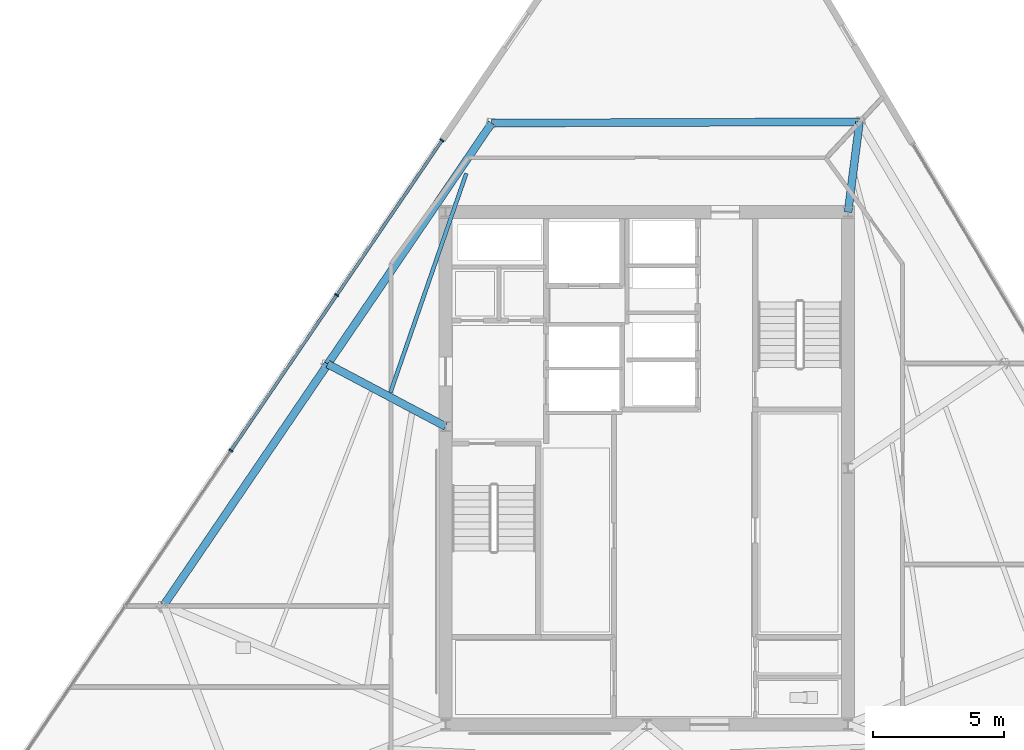
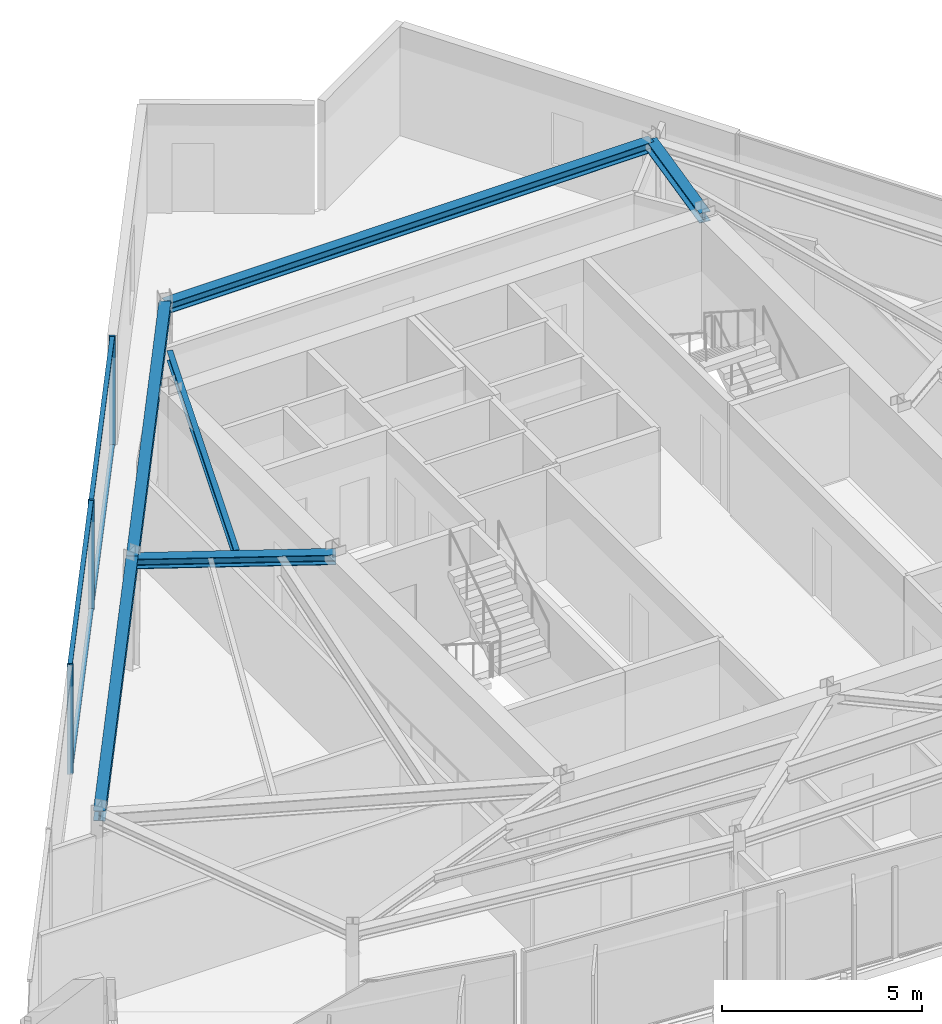
# One storey, part 4 of 13: 7 members, 6 beams, 1 element without a shape of its own.
"""IFC4 building model written with IfcOpenShell, lengths in metres."""

from ifc_helpers import new_model, si_unit, direction, frame, origin, origin_2d, place, context, subcontext, project, spatial, rectangle, i_section, extrude, material, material_profile, profile_set, type_object, element, aggregate, save


model = new_model("IFC4")

# Units and contexts
model_context = context("Model", 3, precision=1e-05, world=origin(), true_north=direction((0.0, 1.0)))
body_context = subcontext(model_context, "Body", "Model", "MODEL_VIEW")
ifc_project = project(units=[si_unit("LENGTHUNIT", "METRE"), si_unit("AREAUNIT", "SQUARE_METRE"), si_unit("VOLUMEUNIT", "CUBIC_METRE"), si_unit("PLANEANGLEUNIT", "RADIAN"), si_unit("MASSUNIT", "GRAM", prefix="KILO")], contexts=[model_context])

# Site, building, storey
site_placement = place(None, origin())
site = spatial("IfcSite", under=ifc_project, at=site_placement, CompositionType="ELEMENT")
building_placement = place(site_placement, origin())
building = spatial("IfcBuilding", under=site, at=building_placement, Name="Savorim Split Tower", CompositionType="ELEMENT")
storey_placement = place(building_placement, frame((0.0, 0.0, 265.199951171875)))
storey = spatial("IfcBuildingStorey", under=building, at=storey_placement, Name="L70", CompositionType="ELEMENT", Elevation=265.199951171875)

# Beams
ifc_material_1 = material(Name="Steel S355", Category="steel")
ifc_material_profile_1 = material_profile(ifc_material_1, i_section(OverallWidth=0.14990234375, OverallDepth=0.300048828125, WebThickness=0.007080078125, FlangeThickness=0.0107421875, FilletRadius=0.014892578125, at=origin_2d()), Name="IPE 300")
ifc_profile_set_1 = profile_set([ifc_material_profile_1], Name="Steel S355")
beam_type_1 = type_object("IfcBeamType", Name="BM-JST-IPE300", PredefinedType="JOIST", material=ifc_profile_set_1)
beam_1_placement = place(storey_placement, frame((-6.90380859375, 11.683837890625, 3.199951171875), z_axis=(-0.327377886403, -0.944893496376, 0.0), x_axis=(0.944893496376, -0.327377886403, 0.0)))
element("IfcBeam", 1, at=beam_1_placement, inside=storey, type_object=beam_type_1, Name="L70 Secondary Floor Joist JS-09", PredefinedType="JOIST", context=body_context, shape_type="SweptSolid", body=[
    extrude(i_section(OverallWidth=0.14990234375, OverallDepth=0.300048828125, WebThickness=0.007080078125, FlangeThickness=0.0107421875, FilletRadius=0.014892578125, at=origin_2d()), origin(), (0.0, 0.0, 1.0), 8.876708984375),
])
ifc_material_profile_2 = material_profile(ifc_material_1, i_section(OverallWidth=0.300048828125, OverallDepth=0.300048828125, WebThickness=0.010986328125, FlangeThickness=0.01904296875, FilletRadius=0.027099609375, at=origin_2d()), Name="HEB 300")
ifc_profile_set_2 = profile_set([ifc_material_profile_2], Name="Steel S355")
beam_type_2 = type_object("IfcBeamType", Name="BM-PRI-HEB300", PredefinedType="BEAM", material=ifc_profile_set_2)
beam_2_placement = place(storey_placement, frame((8.138916015625, 13.6552734375, 3.199951171875), z_axis=(-0.12602728346, -0.992026775759, 0.0), x_axis=(0.992026775759, -0.12602728346, 0.0)))
element("IfcBeam", 2, at=beam_2_placement, inside=storey, type_object=beam_type_2, Name="L70 Primary Floor Girder RG-07", PredefinedType="BEAM", context=body_context, shape_type="SweptSolid", body=[
    extrude(i_section(OverallWidth=0.300048828125, OverallDepth=0.300048828125, WebThickness=0.010986328125, FlangeThickness=0.01904296875, FilletRadius=0.027099609375, at=origin_2d()), origin(), (0.0, 0.0, 1.0), 3.483154296875),
])
beam_3_placement = place(storey_placement, frame((-12.20458984375, 4.385986328125, 3.199951171875), z_axis=(0.883692368794, -0.468068154584, 0.0), x_axis=(0.468068154584, 0.883692368794, 0.0)))
element("IfcBeam", 3, at=beam_3_placement, inside=storey, type_object=beam_type_2, Name="L70 Primary Floor Girder RG-09", PredefinedType="BEAM", context=body_context, shape_type="SweptSolid", body=[
    extrude(i_section(OverallWidth=0.300048828125, OverallDepth=0.300048828125, WebThickness=0.010986328125, FlangeThickness=0.01904296875, FilletRadius=0.027099609375, at=origin_2d()), origin(), (0.0, 0.0, 1.0), 5.097412109375),
])
ifc_material_profile_3 = material_profile(ifc_material_1, i_section(OverallWidth=0.300048828125, OverallDepth=0.31005859375, WebThickness=0.009033203125, FlangeThickness=0.015380859375, FilletRadius=0.027099609375, at=origin_2d()), Name="HEA 320")
ifc_profile_set_3 = profile_set([ifc_material_profile_3], Name="Steel S355")
beam_type_3 = type_object("IfcBeamType", Name="BM-SPN-HEA320", PredefinedType="SPANDREL", material=ifc_profile_set_3)
beam_4_placement = place(storey_placement, frame((8.138916015625, 13.6552734375, 3.195068359375), z_axis=(-0.999993979419, -0.003470032547, 0.0), x_axis=(0.003470032547, -0.999993979419, 0.0)))
element("IfcBeam", 4, at=beam_4_placement, inside=storey, type_object=beam_type_3, Name="L70 Perimeter Spandrel Beam 7", PredefinedType="SPANDREL", context=body_context, shape_type="SweptSolid", body=[
    extrude(i_section(OverallWidth=0.300048828125, OverallDepth=0.31005859375, WebThickness=0.009033203125, FlangeThickness=0.015380859375, FilletRadius=0.027099609375, at=origin_2d()), origin(), (0.0, 0.0, 1.0), 14.0712890625),
])
for number, where, z_axis, x_axis, name in (
    (5, (-5.932373046875, 13.6064453125, 3.195068359375), (-0.56245133519, -0.826830391037, 0.0), (0.826830391037, -0.56245133519, 0.0), "L70 Perimeter Spandrel Beam 8"),
    (6, (-12.20458984375, 4.385986328125, 3.195068359375), (-0.562476483495, -0.826813283344, 0.0), (0.826813283344, -0.562476483495, 0.0), "L70 Perimeter Spandrel Beam 9"),
):
    element("IfcBeam", number, at=place(storey_placement, frame(where, z_axis=z_axis, x_axis=x_axis)), inside=storey, type_object=beam_type_3, Name=name, PredefinedType="SPANDREL", context=body_context, shape_type="SweptSolid", body=[
        extrude(i_section(OverallWidth=0.300048828125, OverallDepth=0.31005859375, WebThickness=0.009033203125, FlangeThickness=0.015380859375, FilletRadius=0.027099609375, at=origin_2d()), origin(), (0.0, 0.0, 1.0), 11.151611328125),
    ])

# Curtain wall, members
ifc_material_2 = material(Name="Dark Ceramic-Fritted Insulated Glass", Category="glass")
curtain_wall_type = type_object("IfcCurtainWallType", Name="CW-TWR-FRIT-B", PredefinedType="NOTDEFINED", material=ifc_material_2)
curtain_wall_placement = place(storey_placement, origin())
curtain_wall = element("IfcCurtainWall", 7, at=curtain_wall_placement, inside=storey, type_object=curtain_wall_type, Name="L70 Curtain Wall CW-L70-WEST", PredefinedType="NOTDEFINED")
ifc_material_3 = material(Name="Charcoal Anodised Aluminium", Category="aluminium")
ifc_material_profile_4 = material_profile(ifc_material_3, rectangle(XDim=0.159912109375, YDim=0.06005859375, at=origin_2d()), Name="ALU-M 160x60")
ifc_profile_set_4 = profile_set([ifc_material_profile_4], Name="Charcoal Anodised Aluminium")
member_type_1 = type_object("IfcMemberType", Name="CWM-160x60", PredefinedType="MULLION", material=ifc_profile_set_4)
member_1_placement = place(storey_placement, frame((-7.833740234375, 12.946044921875, 0.0), z_axis=(0.0, 0.0, 1.0), x_axis=(0.826817472755, -0.562470325215, 0.0)))
member_1 = element("IfcMember", 8, at=member_1_placement, type_object=member_type_1, Name="CW-03 mullion 1", PredefinedType="MULLION", context=body_context, shape_type="SweptSolid", body=[
    extrude(rectangle(XDim=0.159912109375, YDim=0.06005859375, at=origin_2d()), origin(), (0.0, 0.0, 1.0), 3.35009765625),
])
member_2_placement = place(storey_placement, frame((-11.86181640625, 7.02490234375, 0.0), z_axis=(0.0, 0.0, 1.0), x_axis=(0.826817472755, -0.562470325215, 0.0)))
member_2 = element("IfcMember", 9, at=member_2_placement, type_object=member_type_1, Name="CW-03 mullion 2", PredefinedType="MULLION", context=body_context, shape_type="SweptSolid", body=[
    extrude(rectangle(XDim=0.159912109375, YDim=0.06005859375, at=origin_2d()), origin(), (0.0, 0.0, 1.0), 3.35009765625),
])
member_3_placement = place(storey_placement, frame((-15.906982421875, 1.078857421875, 0.0), z_axis=(0.0, 0.0, 1.0), x_axis=(0.826817472755, -0.562470325215, 0.0)))
member_3 = element("IfcMember", 10, at=member_3_placement, type_object=member_type_1, Name="CW-03 mullion 3", PredefinedType="MULLION", context=body_context, shape_type="SweptSolid", body=[
    extrude(rectangle(XDim=0.159912109375, YDim=0.06005859375, at=origin_2d()), origin(), (0.0, 0.0, 1.0), 3.35009765625),
])
ifc_material_profile_5 = material_profile(ifc_material_3, rectangle(XDim=0.1201171875, YDim=0.050048828125, at=origin_2d()), Name="ALU-T 120x50")
ifc_profile_set_5 = profile_set([ifc_material_profile_5], Name="Charcoal Anodised Aluminium")
member_type_2 = type_object("IfcMemberType", Name="CWT-120x50", PredefinedType="USERDEFINED", material=ifc_profile_set_5)
member_4_placement = place(storey_placement, frame((-7.8505859375, 12.92138671875, 0.025146484375), z_axis=(-0.562458582496, -0.826825461011, 0.0), x_axis=(0.826825461011, -0.562458582496, 0.0)))
member_4 = element("IfcMember", 11, at=member_4_placement, type_object=member_type_2, Name="CW-03 transom 1.1", ObjectType="TRANSOM", PredefinedType="USERDEFINED", context=body_context, shape_type="SweptSolid", body=[
    extrude(rectangle(XDim=0.1201171875, YDim=0.050048828125, at=origin_2d()), origin(), (0.0, 0.0, 1.0), 7.1015625),
])
member_5_placement = place(storey_placement, frame((-7.8505859375, 12.92138671875, 3.324951171875), z_axis=(-0.562458582496, -0.826825461011, 0.0), x_axis=(0.826825461011, -0.562458582496, 0.0)))
member_5 = element("IfcMember", 12, at=member_5_placement, type_object=member_type_2, Name="CW-03 transom 1.2", ObjectType="TRANSOM", PredefinedType="USERDEFINED", context=body_context, shape_type="SweptSolid", body=[
    extrude(rectangle(XDim=0.1201171875, YDim=0.050048828125, at=origin_2d()), origin(), (0.0, 0.0, 1.0), 7.1015625),
])
member_6_placement = place(storey_placement, frame((-11.878662109375, 7.0, 0.025146484375), z_axis=(-0.56248885338, -0.826804868045, 0.0), x_axis=(0.826804868045, -0.56248885338, 0.0)))
member_6 = element("IfcMember", 13, at=member_6_placement, type_object=member_type_2, Name="CW-03 transom 2.1", ObjectType="TRANSOM", PredefinedType="USERDEFINED", context=body_context, shape_type="SweptSolid", body=[
    extrude(rectangle(XDim=0.1201171875, YDim=0.050048828125, at=origin_2d()), origin(), (0.0, 0.0, 1.0), 7.131591796875),
])
member_7_placement = place(storey_placement, frame((-11.878662109375, 7.0, 3.324951171875), z_axis=(-0.56248885338, -0.826804868045, 0.0), x_axis=(0.826804868045, -0.56248885338, 0.0)))
member_7 = element("IfcMember", 14, at=member_7_placement, type_object=member_type_2, Name="CW-03 transom 2.2", ObjectType="TRANSOM", PredefinedType="USERDEFINED", context=body_context, shape_type="SweptSolid", body=[
    extrude(rectangle(XDim=0.1201171875, YDim=0.050048828125, at=origin_2d()), origin(), (0.0, 0.0, 1.0), 7.131591796875),
])
aggregate(curtain_wall, [member_1, member_2, member_3, member_4, member_5, member_6, member_7])

save(model, "model.ifc")
